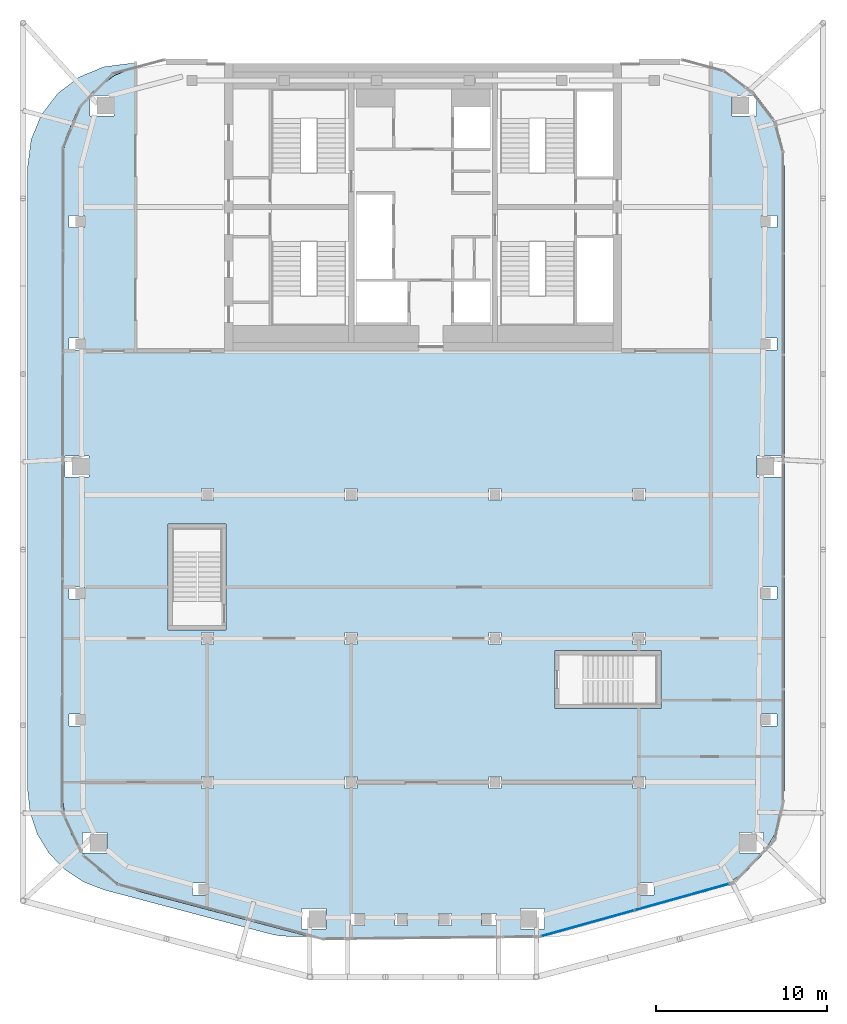
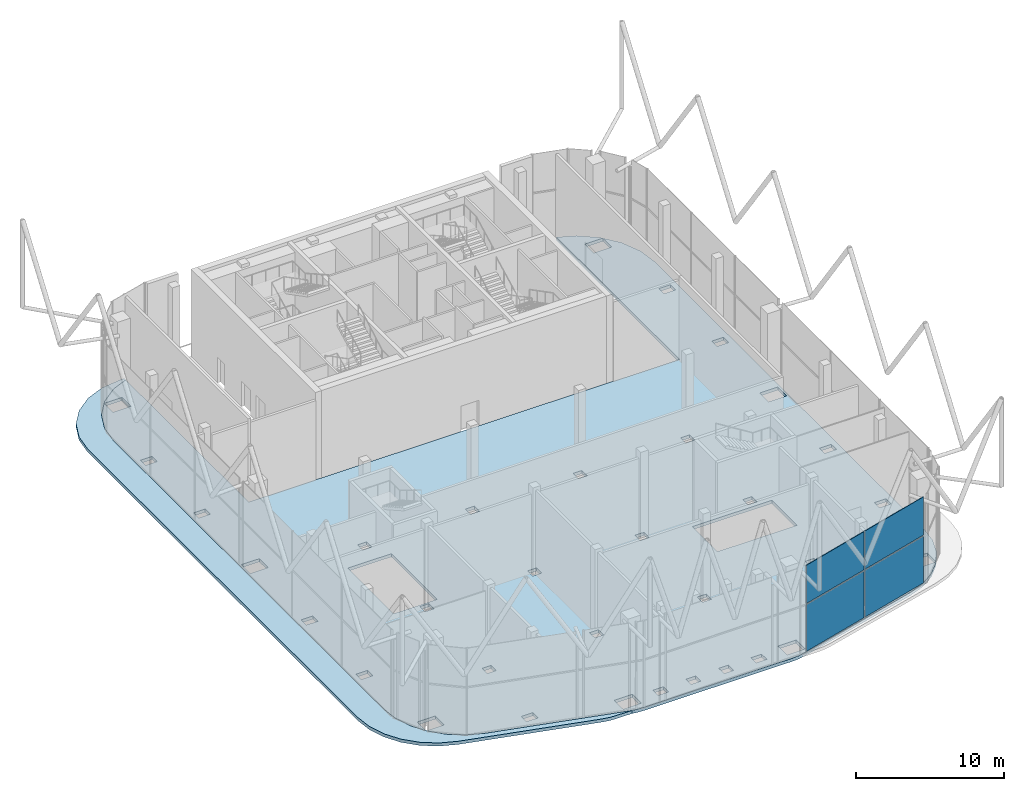
# One storey, part 14 of 25: 4 plates, 2 slabs, 1 element without a shape of its own.
"""IFC4 building model written with IfcOpenShell, lengths in metres."""

import ifcopenshell
import ifcopenshell.guid

model = None  # the IFC model being written
_history = None  # IfcOwnerHistory: only IFC2X3 demands one
_inside = {}  # id of a spatial element -> (the spatial element, [elements in it])
_under = {}  # id of a project, library or spatial element -> (it, [spatial elements below it])
_declared = {}  # id of a project -> (the project, [libraries it declares])
_typed = {}  # id of a type object -> (the type object, [elements of that type])
_made_of = {}  # id of a material, layer set ... -> (it, [elements and type objects made of it])


def new_model(schema):
    """Start an empty IFC model of exactly this schema.

    Asked for "IFC4X3", IfcOpenShell would pick the latest addendum, in which some entities
    have other attributes; the version numbers below select the first issue.
    IFC2X3 requires an IfcOwnerHistory on every rooted entity: one is made here for all.
    """
    global model, _history
    if schema == "IFC4X3":
        model = ifcopenshell.file(schema_version=(4, 3, 0, 0))
    else:
        model = ifcopenshell.file(schema=schema)
    _inside.clear()
    _under.clear()
    _declared.clear()
    _typed.clear()
    _made_of.clear()
    _history = None
    if model.schema == "IFC2X3":
        org = make("IfcOrganization", Name="unknown")
        user = make(
            "IfcPersonAndOrganization",
            ThePerson=make("IfcPerson", FamilyName="unknown"),
            TheOrganization=org,
        )
        app = make(
            "IfcApplication",
            ApplicationDeveloper=org,
            Version="unknown",
            ApplicationFullName="unknown",
            ApplicationIdentifier="unknown",
        )
        _history = make(
            "IfcOwnerHistory",
            OwningUser=user,
            OwningApplication=app,
            ChangeAction="ADDED",
            CreationDate=0,
        )
    return model


def make(cls, **values):
    """One entity of the class cls with the attributes given. An attribute that is None is left unset."""
    return model.create_entity(
        cls, **{name: value for name, value in values.items() if value is not None}
    )


def rooted(cls, **values):
    """An entity with a GlobalId (a new one), such as an element, a storey or a relation."""
    return make(cls, GlobalId=ifcopenshell.guid.new(), OwnerHistory=_history, **values)


def si_unit(unit_type, name, prefix=None):
    """IfcSIUnit, for example si_unit("LENGTHUNIT", "METRE", prefix="MILLI")."""
    return make("IfcSIUnit", UnitType=unit_type, Prefix=prefix, Name=name)


def assignment(units):
    """IfcUnitAssignment: the units of a project."""
    return None if units is None else make("IfcUnitAssignment", Units=units)


def point(xyz):
    """IfcCartesianPoint."""
    return None if xyz is None else make("IfcCartesianPoint", Coordinates=xyz)


def direction(xyz):
    """IfcDirection."""
    return None if xyz is None else make("IfcDirection", DirectionRatios=xyz)


def frame(location, z_axis=None, x_axis=None):
    """IfcAxis2Placement3D, a coordinate frame: its origin and axes. An axis left out is left unset."""
    return make(
        "IfcAxis2Placement3D",
        Location=point(location),
        Axis=direction(z_axis),
        RefDirection=direction(x_axis),
    )


def frame_2d(location, x_axis=None):
    """IfcAxis2Placement2D, a coordinate frame in the plane: its origin and x axis."""
    return make(
        "IfcAxis2Placement2D", Location=point(location), RefDirection=direction(x_axis)
    )


def origin():
    """The frame at (0, 0, 0) with its axes left unset."""
    return frame((0.0, 0.0, 0.0))


def origin_2d():
    """The frame at (0, 0) in the plane with its x axis left unset."""
    return frame_2d((0.0, 0.0))


def place(relative_to, where):
    """IfcLocalPlacement: puts the frame where relative to a parent placement (None: the world)."""
    return make(
        "IfcLocalPlacement", PlacementRelTo=relative_to, RelativePlacement=where
    )


def context(
    kind, dimensions, precision=None, world=None, true_north=None, identifier=None
):
    """IfcGeometricRepresentationContext, for example the 3D "Model" context."""
    return make(
        "IfcGeometricRepresentationContext",
        ContextIdentifier=identifier,
        ContextType=kind,
        CoordinateSpaceDimension=dimensions,
        Precision=precision,
        WorldCoordinateSystem=world,
        TrueNorth=true_north,
    )


def subcontext(parent, identifier, kind, view, scale=None):
    """IfcGeometricRepresentationSubContext, for example "Body" below "Model"."""
    return make(
        "IfcGeometricRepresentationSubContext",
        ContextIdentifier=identifier,
        ContextType=kind,
        ParentContext=parent,
        TargetScale=scale,
        TargetView=view,
    )


def project(units=None, contexts=None):
    """IfcProject with its units and contexts."""
    return rooted(
        "IfcProject",
        Name="project",
        RepresentationContexts=contexts,
        UnitsInContext=assignment(units),
    )


def spatial(cls, under=None, at=None, **own):
    """A site, building, storey or space (cls), placed at a placement, below another one or the project."""
    s = rooted(cls, ObjectPlacement=at, **own)
    if under is not None:
        _under.setdefault(under.id(), (under, []))[1].append(s)
    return s


def polyline(points):
    """IfcPolyline through the points."""
    return make("IfcPolyline", Points=[point(p) for p in points])


def profile(cls, at=None, kind="AREA", **sizes):
    """A parametric profile (cls). Its sizes go by their IFC names, for example OverallWidth=200.0."""
    return make(cls, ProfileType=kind, Position=at, **sizes)


def rectangle(**sizes):
    """IfcRectangleProfileDef."""
    return profile("IfcRectangleProfileDef", **sizes)


def outline(outer, holes=None, kind="AREA"):
    """IfcArbitraryClosedProfileDef: a profile drawn as a closed curve; with holes, ...WithVoids."""
    if holes is None:
        return make("IfcArbitraryClosedProfileDef", ProfileType=kind, OuterCurve=outer)
    return make(
        "IfcArbitraryProfileDefWithVoids",
        ProfileType=kind,
        OuterCurve=outer,
        InnerCurves=holes,
    )


def extrude(swept, where, along, depth):
    """IfcExtrudedAreaSolid: the profile swept, set in the frame where, extruded along a direction by depth."""
    return make(
        "IfcExtrudedAreaSolid",
        SweptArea=swept,
        Position=where,
        ExtrudedDirection=direction(along),
        Depth=depth,
    )


def shape(context_of_items, identifier, shape_type, items):
    """IfcShapeRepresentation: the items that make up one representation, for example the "Body"."""
    return make(
        "IfcShapeRepresentation",
        ContextOfItems=context_of_items,
        RepresentationIdentifier=identifier,
        RepresentationType=shape_type,
        Items=items,
    )


def material(Name=None, Category=None):
    """IfcMaterial."""
    return make("IfcMaterial", Name=Name, Category=Category)


def layer(
    of_material, thickness, ventilated=None, Name=None, Category=None, Priority=None
):
    """IfcMaterialLayer: one layer of a wall or slab, of a material (None: an air gap)."""
    return make(
        "IfcMaterialLayer",
        Material=of_material,
        LayerThickness=thickness,
        IsVentilated=ventilated,
        Name=Name,
        Category=Category,
        Priority=Priority,
    )


def layer_set(layers, Name=None):
    """IfcMaterialLayerSet."""
    return make("IfcMaterialLayerSet", MaterialLayers=layers, LayerSetName=Name)


def made_of(thing, what):
    """Note that an element or type object is made of a material, layer set ...; save() writes the relation."""
    if what is not None:
        _made_of.setdefault(what.id(), (what, []))[1].append(thing)
    return thing


def type_object(cls, material=None, **own):
    """A type object (cls), such as IfcWallType, which elements share."""
    return made_of(rooted(cls, **own), material)


def element(
    cls,
    number,
    at=None,
    inside=None,
    cuts=None,
    type_object=None,
    material=None,
    context=None,
    identifier="Body",
    shape_type=None,
    held_by="IfcProductDefinitionShape",
    body=None,
    shapes=None,
    **own,
):
    """One element of the class cls, such as IfcWall. Its Tag is "e" and its number.

    at: its placement. inside: the storey or other place that contains it. cuts: it is an
    opening in that element (IfcRelVoidsElement). A single representation is given by context,
    identifier, shape_type and body (its items); several are given by shapes. held_by: the class
    of the entity that holds the representations. save() writes the other relations.
    """
    e = rooted(cls, Tag="e%d" % number, ObjectPlacement=at, **own)
    if body is not None:
        shapes = [shape(context, identifier, shape_type, body)]
    if shapes is not None:
        e.Representation = make(held_by, Representations=shapes)
    if inside is not None:
        _inside.setdefault(inside.id(), (inside, []))[1].append(e)
    if cuts is not None:
        rooted(
            "IfcRelVoidsElement", RelatingBuildingElement=cuts, RelatedOpeningElement=e
        )
    if type_object is not None:
        _typed.setdefault(type_object.id(), (type_object, []))[1].append(e)
    return made_of(e, material)


def aggregate(whole, parts):
    """IfcRelAggregates: a whole, such as a stair, and the parts it consists of."""
    return rooted("IfcRelAggregates", RelatingObject=whole, RelatedObjects=parts)


def save(model, path):
    """Write the relations noted so far, then the file.

    IfcRelAggregates (storeys below a building ...), IfcRelContainedInSpatialStructure (elements
    in a storey), IfcRelDefinesByType, IfcRelAssociatesMaterial and IfcRelDeclares: one each for
    every whole, place, type object, material and project.
    """
    for whole, parts in _under.values():
        aggregate(whole, parts)
    for where, things in _inside.values():
        rooted(
            "IfcRelContainedInSpatialStructure",
            RelatedElements=things,
            RelatingStructure=where,
        )
    for kind, things in _typed.values():
        rooted("IfcRelDefinesByType", RelatedObjects=things, RelatingType=kind)
    for what, things in _made_of.values():
        rooted("IfcRelAssociatesMaterial", RelatedObjects=things, RelatingMaterial=what)
    for by, libraries in _declared.values():
        rooted("IfcRelDeclares", RelatingContext=by, RelatedDefinitions=libraries)
    model.write(path)


model = new_model("IFC4")

# Units and contexts
model_context = context("Model", 3, precision=1e-05, world=origin(), true_north=direction((0.0, 1.0)))
body_context = subcontext(model_context, "Body", "Model", "MODEL_VIEW")
ifc_project = project(units=[si_unit("LENGTHUNIT", "METRE"), si_unit("AREAUNIT", "SQUARE_METRE"), si_unit("VOLUMEUNIT", "CUBIC_METRE"), si_unit("PLANEANGLEUNIT", "RADIAN"), si_unit("MASSUNIT", "GRAM", prefix="KILO")], contexts=[model_context])

# Site, building, storey
site_placement = place(None, origin())
site = spatial("IfcSite", under=ifc_project, at=site_placement, CompositionType="ELEMENT")
building_placement = place(site_placement, origin())
building = spatial("IfcBuilding", under=site, at=building_placement, Name="Marenta Gate Hotel Tower", CompositionType="ELEMENT")
storey_placement = place(building_placement, frame((0.0, 0.0, 281.300048828125)))
storey = spatial("IfcBuildingStorey", under=building, at=storey_placement, Name="L65", CompositionType="ELEMENT", Elevation=281.300048828125)

# Slab
ifc_material_1 = material(Name="Concrete C35", Category="concrete")
ifc_layer_1 = layer(ifc_material_1, 0.260009765625)
ifc_layer_set_1 = layer_set([ifc_layer_1], Name="Concrete C35")
slab_type_1 = type_object("IfcSlabType", Name="Concrete floor slab 260", PredefinedType="FLOOR", material=ifc_layer_set_1)
slab_1_placement = place(storey_placement, frame((0.0, 0.0, -0.260009765625)))
element("IfcSlab", 1, at=slab_1_placement, inside=storey, type_object=slab_type_1, Name="L65-SL-1", PredefinedType="FLOOR", context=body_context, shape_type="SweptSolid", body=[
    extrude(outline(polyline([(-18.913818359375, -30.364013671875), (-19.83544921875, -29.404052734375), (-19.878662109375, -29.3330078125), (-18.479736328125, -29.3330078125), (-18.479736328125, -28.133056640625), (-19.8896484375, -28.133056640625), (-19.8896484375, -29.314697265625), (-20.52685546875, -28.26708984375), (-20.955322265625, -27.007080078125), (-21.10009765625, -25.689697265625), (-21.10009765625, 10.806640625), (-20.89306640625, 12.37890625), (-20.283447265625, 13.850341796875), (-19.462158203125, 14.920654296875), (-19.462158203125, 13.735595703125), (-18.05224609375, 13.735595703125), (-18.05224609375, 14.935546875), (-19.450927734375, 14.935546875), (-19.31396484375, 15.114013671875), (-18.050537109375, 16.08349609375), (-16.800048828125, 16.6015625), (-16.800048828125, 0.0), (16.800048828125, 0.0), (16.800048828125, 16.6015625), (18.050537109375, 16.08349609375), (19.31396484375, 15.114013671875), (19.450927734375, 14.935546875), (18.05224609375, 14.935546875), (18.05224609375, 13.735595703125), (19.462158203125, 13.735595703125), (19.462158203125, 14.920654296875), (20.283447265625, 13.850341796875), (20.89306640625, 12.37890625), (21.10009765625, 10.806640625), (21.10009765625, -25.689697265625), (20.955322265625, -27.007080078125), (20.52685546875, -28.26708984375), (19.8896484375, -29.314697265625), (19.8896484375, -28.133056640625), (18.479736328125, -28.133056640625), (18.479736328125, -29.3330078125), (19.878662109375, -29.3330078125), (19.83544921875, -29.404052734375), (18.913818359375, -30.364013671875), (17.8056640625, -31.101318359375), (16.569580078125, -31.578857421875), (6.82666015625, -34.16357421875), (6.30859375, -34.265869140625), (5.78173828125, -34.300048828125), (-5.78173828125, -34.300048828125), (-6.30859375, -34.265869140625), (-6.82666015625, -34.16357421875), (-16.569580078125, -31.578857421875), (-17.8056640625, -31.101318359375), (-18.913818359375, -30.364013671875)]), holes=[polyline([(-0.90673828125, -33.550048828125), (-0.90673828125, -32.85009765625), (-1.648681640625, -32.85009765625), (-1.648681640625, -33.550048828125), (-0.90673828125, -33.550048828125)]), polyline([(-3.420166015625, -33.550048828125), (-3.420166015625, -32.85009765625), (-4.24609375, -32.85009765625), (-4.24609375, -33.550048828125), (-3.420166015625, -33.550048828125)]), polyline([(-5.682861328125, -33.77490234375), (-5.682861328125, -32.57470703125), (-7.093017578125, -32.57470703125), (-7.093017578125, -33.77490234375), (-5.682861328125, -33.77490234375)]), polyline([(-13.4833984375, -31.7890625), (-12.573486328125, -31.7890625), (-12.573486328125, -31.089111328125), (-13.4833984375, -31.089111328125), (-13.4833984375, -31.7890625)]), polyline([(-3.85009765625, -24.85009765625), (-4.550048828125, -24.85009765625), (-4.550048828125, -25.550048828125), (-3.85009765625, -25.550048828125), (-3.85009765625, -24.85009765625)]), polyline([(-12.25, -24.85009765625), (-12.949951171875, -24.85009765625), (-12.949951171875, -25.550048828125), (-12.25, -25.550048828125), (-12.25, -24.85009765625)]), polyline([(-19.7666015625, -21.90185546875), (-19.7666015625, -21.201904296875), (-20.6767578125, -21.201904296875), (-20.6767578125, -21.90185546875), (-19.7666015625, -21.90185546875)]), polyline([(-12.25, -17.14990234375), (-12.25, -16.449951171875), (-12.949951171875, -16.449951171875), (-12.949951171875, -17.14990234375), (-12.25, -17.14990234375)]), polyline([(-3.85009765625, -17.14990234375), (-3.85009765625, -16.449951171875), (-4.550048828125, -16.449951171875), (-4.550048828125, -17.14990234375), (-3.85009765625, -17.14990234375)]), polyline([(-19.7666015625, -14.5009765625), (-19.7666015625, -13.80078125), (-20.6767578125, -13.80078125), (-20.6767578125, -14.5009765625), (-19.7666015625, -14.5009765625)]), polyline([(-12.25, -8.050048828125), (-12.949951171875, -8.050048828125), (-12.949951171875, -8.75), (-12.25, -8.75), (-12.25, -8.050048828125)]), polyline([(-3.85009765625, -8.050048828125), (-4.550048828125, -8.050048828125), (-4.550048828125, -8.75), (-3.85009765625, -8.75), (-3.85009765625, -8.050048828125)]), polyline([(-20.9267578125, -7.35009765625), (-19.5166015625, -7.35009765625), (-19.5166015625, -6.14990234375), (-20.9267578125, -6.14990234375), (-20.9267578125, -7.35009765625)]), polyline([(-20.6767578125, 0.05322265625), (-19.7666015625, 0.05322265625), (-19.7666015625, 0.753173828125), (-20.6767578125, 0.753173828125), (-20.6767578125, 0.05322265625)]), polyline([(-19.7666015625, 7.206298828125), (-19.7666015625, 7.906494140625), (-20.6767578125, 7.906494140625), (-20.6767578125, 7.206298828125), (-19.7666015625, 7.206298828125)]), polyline([(1.648681640625, -33.550048828125), (1.648681640625, -32.85009765625), (0.90673828125, -32.85009765625), (0.90673828125, -33.550048828125), (1.648681640625, -33.550048828125)]), polyline([(4.24609375, -33.550048828125), (4.24609375, -32.85009765625), (3.420166015625, -32.85009765625), (3.420166015625, -33.550048828125), (4.24609375, -33.550048828125)]), polyline([(7.093017578125, -33.77490234375), (7.093017578125, -32.57470703125), (5.682861328125, -32.57470703125), (5.682861328125, -33.77490234375), (7.093017578125, -33.77490234375)]), polyline([(12.573486328125, -31.7890625), (13.4833984375, -31.7890625), (13.4833984375, -31.089111328125), (12.573486328125, -31.089111328125), (12.573486328125, -31.7890625)]), polyline([(4.550048828125, -24.85009765625), (3.85009765625, -24.85009765625), (3.85009765625, -25.550048828125), (4.550048828125, -25.550048828125), (4.550048828125, -24.85009765625)]), polyline([(12.949951171875, -24.85009765625), (12.25, -24.85009765625), (12.25, -25.550048828125), (12.949951171875, -25.550048828125), (12.949951171875, -24.85009765625)]), polyline([(20.6767578125, -21.90185546875), (20.6767578125, -21.201904296875), (19.7666015625, -21.201904296875), (19.7666015625, -21.90185546875), (20.6767578125, -21.90185546875)]), polyline([(4.550048828125, -17.14990234375), (4.550048828125, -16.449951171875), (3.85009765625, -16.449951171875), (3.85009765625, -17.14990234375), (4.550048828125, -17.14990234375)]), polyline([(12.949951171875, -17.14990234375), (12.949951171875, -16.449951171875), (12.25, -16.449951171875), (12.25, -17.14990234375), (12.949951171875, -17.14990234375)]), polyline([(20.6767578125, -14.5009765625), (20.6767578125, -13.80078125), (19.7666015625, -13.80078125), (19.7666015625, -14.5009765625), (20.6767578125, -14.5009765625)]), polyline([(4.550048828125, -8.050048828125), (3.85009765625, -8.050048828125), (3.85009765625, -8.75), (4.550048828125, -8.75), (4.550048828125, -8.050048828125)]), polyline([(12.949951171875, -8.050048828125), (12.25, -8.050048828125), (12.25, -8.75), (12.949951171875, -8.75), (12.949951171875, -8.050048828125)]), polyline([(19.5166015625, -7.35009765625), (20.9267578125, -7.35009765625), (20.9267578125, -6.14990234375), (19.5166015625, -6.14990234375), (19.5166015625, -7.35009765625)]), polyline([(19.7666015625, 0.05322265625), (20.6767578125, 0.05322265625), (20.6767578125, 0.753173828125), (19.7666015625, 0.753173828125), (19.7666015625, 0.05322265625)]), polyline([(20.6767578125, 7.206298828125), (20.6767578125, 7.906494140625), (19.7666015625, 7.906494140625), (19.7666015625, 7.206298828125), (20.6767578125, 7.206298828125)]), polyline([(13.89990234375, -20.89990234375), (13.89990234375, -17.5), (7.699951171875, -17.5), (7.699951171875, -20.89990234375), (13.89990234375, -20.89990234375)]), polyline([(-11.5, -16.300048828125), (-11.5, -10.10009765625), (-14.89990234375, -10.10009765625), (-14.89990234375, -16.300048828125), (-11.5, -16.300048828125)])]), origin(), (0.0, 0.0, 1.0), 0.260009765625),
])

# Curtain wall, plates
ifc_material_2 = material(Name="Tinted insulated glass in bronze anodised frame", Category="glass")
ifc_layer_2 = layer(ifc_material_2, 0.139892578125)
ifc_layer_set_2 = layer_set([ifc_layer_2], Name="Tinted insulated glass in bronze anodised frame")
curtain_wall_type = type_object("IfcCurtainWallType", Name="Observation deck structural glazing CW3", PredefinedType="NOTDEFINED", material=ifc_layer_set_2)
curtain_wall_placement = place(storey_placement, origin())
curtain_wall = element("IfcCurtainWall", 2, at=curtain_wall_placement, inside=storey, type_object=curtain_wall_type, Name="CW3 run G25", PredefinedType="NOTDEFINED")
ifc_material_3 = material(Name="Tinted insulated glass", Category="glass")
ifc_layer_3 = layer(ifc_material_3, 0.0439453125)
ifc_layer_set_3 = layer_set([ifc_layer_3], Name="Tinted insulated glass")
plate_type = type_object("IfcPlateType", Name="Glass panel CW3 44 mm tinted insulated unit", PredefinedType="CURTAIN_PANEL", material=ifc_layer_set_3)
plate_1_placement = place(storey_placement, frame((9.620361328125, -33.437255859375, 0.099853515625), z_axis=(0.0, 0.0, 1.0), x_axis=(0.963265017782, 0.268552612196, 0.0)))
plate_1 = element("IfcPlate", 3, at=plate_1_placement, type_object=plate_type, Name="CW3 panel 1.1", PredefinedType="CURTAIN_PANEL", context=body_context, shape_type="SweptSolid", body=[
    extrude(rectangle(XDim=5.555908203125, YDim=0.0439453125, at=origin_2d()), origin(), (0.0, 0.0, 1.0), 3.85009765625),
])
plate_2_placement = place(storey_placement, frame((9.620361328125, -33.437255859375, 4.050048828125), z_axis=(0.0, 0.0, 1.0), x_axis=(0.963265017782, 0.268552612196, 0.0)))
plate_2 = element("IfcPlate", 4, at=plate_2_placement, type_object=plate_type, Name="CW3 panel 1.2", PredefinedType="CURTAIN_PANEL", context=body_context, shape_type="SweptSolid", body=[
    extrude(rectangle(XDim=5.555908203125, YDim=0.0439453125, at=origin_2d()), origin(), (0.0, 0.0, 1.0), 3.14990234375),
])
plate_3_placement = place(storey_placement, frame((15.11669921875, -31.90478515625, 0.099853515625), z_axis=(0.0, 0.0, 1.0), x_axis=(0.963265017782, 0.268552612196, 0.0)))
plate_3 = element("IfcPlate", 5, at=plate_3_placement, type_object=plate_type, Name="CW3 panel 2.1", PredefinedType="CURTAIN_PANEL", context=body_context, shape_type="SweptSolid", body=[
    extrude(rectangle(XDim=5.656005859375, YDim=0.0439453125, at=origin_2d()), origin(), (0.0, 0.0, 1.0), 3.85009765625),
])
plate_4_placement = place(storey_placement, frame((15.11669921875, -31.90478515625, 4.050048828125), z_axis=(0.0, 0.0, 1.0), x_axis=(0.963265017782, 0.268552612196, 0.0)))
plate_4 = element("IfcPlate", 6, at=plate_4_placement, type_object=plate_type, Name="CW3 panel 2.2", PredefinedType="CURTAIN_PANEL", context=body_context, shape_type="SweptSolid", body=[
    extrude(rectangle(XDim=5.656005859375, YDim=0.0439453125, at=origin_2d()), origin(), (0.0, 0.0, 1.0), 3.14990234375),
])
aggregate(curtain_wall, [plate_1, plate_2, plate_3, plate_4])

# Slab
ifc_material_4 = material(Name="Concrete C35", Category="concrete")
ifc_layer_4 = layer(ifc_material_4, 0.260009765625)
ifc_layer_set_4 = layer_set([ifc_layer_4], Name="Concrete C35")
slab_type_2 = type_object("IfcSlabType", Name="Terrace roof slab 260", PredefinedType="ROOF", material=ifc_layer_set_4)
slab_2_placement = place(storey_placement, frame((0.0, 0.0, -0.260009765625)))
element("IfcSlab", 7, at=slab_2_placement, inside=storey, type_object=slab_type_2, Name="L64-SL-T1", PredefinedType="ROOF", context=body_context, shape_type="SweptSolid", body=[
    extrude(outline(polyline([(-18.638671875, -31.483642578125), (-19.859619140625, -31.011962890625), (-20.94921875, -30.286865234375), (-21.855712890625, -29.3427734375), (-22.535888671875, -28.224365234375), (-22.957275390625, -26.9853515625), (-23.10009765625, -25.684326171875), (-23.10009765625, 10.800048828125), (-22.8955078125, 12.352783203125), (-22.296142578125, 13.800048828125), (-21.342529296875, 15.04248046875), (-20.10009765625, 15.99609375), (-18.65283203125, 16.595703125), (-17.10009765625, 16.800048828125), (-16.800048828125, 16.800048828125), (-16.800048828125, 16.6015625), (-18.050537109375, 16.08349609375), (-19.31396484375, 15.114013671875), (-20.283447265625, 13.850341796875), (-20.89306640625, 12.37890625), (-21.10009765625, 10.806640625), (-21.10009765625, -25.689697265625), (-20.955322265625, -27.007080078125), (-20.52685546875, -28.26708984375), (-19.83544921875, -29.404052734375), (-18.913818359375, -30.364013671875), (-17.8056640625, -31.101318359375), (-16.569580078125, -31.578857421875), (-6.82666015625, -34.16357421875), (-6.642333984375, -34.199951171875), (-7.87841796875, -34.199951171875), (-8.3955078125, -34.16650390625), (-8.904052734375, -34.066162109375), (-18.638671875, -31.483642578125)])), origin(), (0.0, 0.0, 1.0), 0.260009765625),
])

save(model, "model.ifc")
